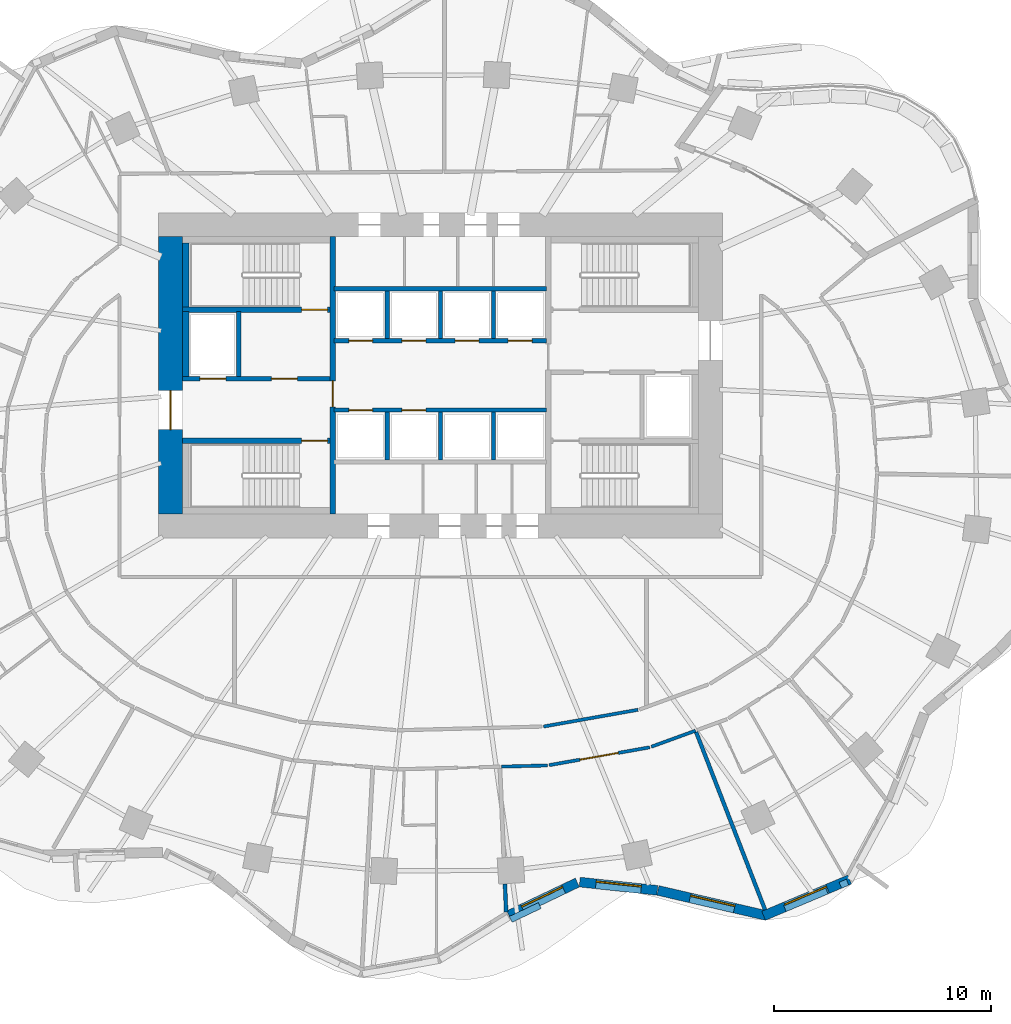
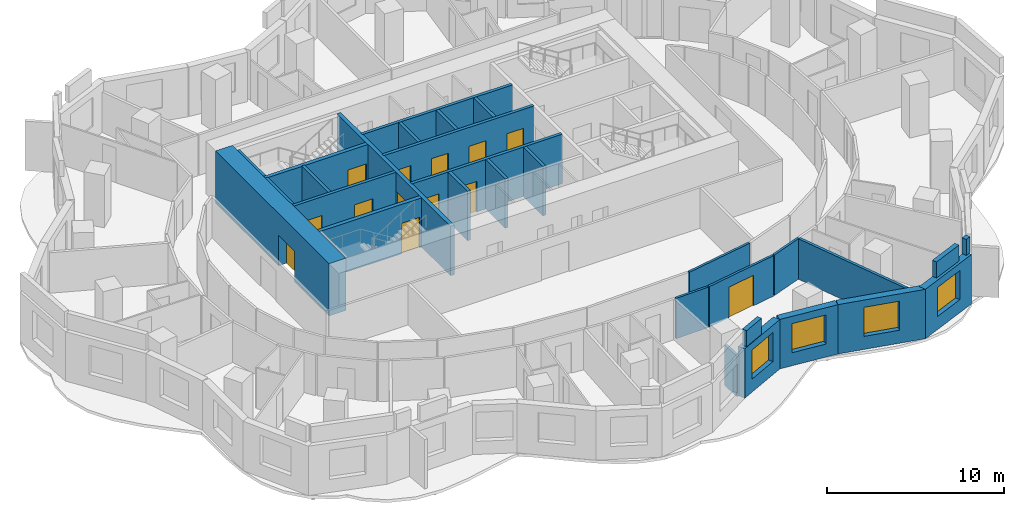
# One storey, part 7 of 14: 30 walls, 13 doors, 4 windows, 17 openings.
"""IFC4 building model written with IfcOpenShell, lengths in metres."""

from ifc_helpers import new_model, si_unit, direction, frame, frame_2d, origin, place, context, subcontext, project, spatial, rectangle, extrude, material, layer, layer_set, type_object, element, fill, save


model = new_model("IFC4")

# Units and contexts
model_context = context("Model", 3, precision=1e-05, world=origin(), true_north=direction((0.0, 1.0)))
body_context = subcontext(model_context, "Body", "Model", "MODEL_VIEW")
ifc_project = project(units=[si_unit("LENGTHUNIT", "METRE"), si_unit("AREAUNIT", "SQUARE_METRE"), si_unit("VOLUMEUNIT", "CUBIC_METRE"), si_unit("PLANEANGLEUNIT", "RADIAN"), si_unit("MASSUNIT", "GRAM", prefix="KILO")], contexts=[model_context])

# Site, building, storey
site_placement = place(None, origin())
site = spatial("IfcSite", under=ifc_project, at=site_placement, CompositionType="ELEMENT")
building_placement = place(site_placement, origin())
building = spatial("IfcBuilding", under=site, at=building_placement, Name="Rubra Terraces Tower", CompositionType="ELEMENT")
storey_placement = place(building_placement, frame((0.0, 0.0, 103.199951171875)))
storey = spatial("IfcBuildingStorey", under=building, at=storey_placement, Name="L24", CompositionType="ELEMENT", Elevation=103.199951171875)

# Walls
ifc_material_1 = material(Name="Twin plasterboard on staggered steel stud, acoustic mineral wool", Category="steel")
ifc_layer_1 = layer(ifc_material_1, 0.175048828125)
ifc_layer_set_1 = layer_set([ifc_layer_1], Name="Twin plasterboard on staggered steel stud, acoustic mineral wool")
wall_type_1 = type_object("IfcWallType", Name="ACOUSTIC PARTY WALL 175", PredefinedType="PARTITIONING", material=ifc_layer_set_1)
wall_1_placement = place(storey_placement, frame((3.03125, -20.247314453125, 0.0), z_axis=(0.0, 0.0, 1.0), x_axis=(-0.043114350308, 0.999070144083, 0.0)))
element("IfcWall", 1, at=wall_1_placement, inside=storey, type_object=wall_type_1, Name="PARTITION", PredefinedType="PARTITIONING", context=body_context, shape_type="SweptSolid", body=[
    extrude(rectangle(XDim=1.27978515625, YDim=0.175048828125, at=frame_2d((0.639892578125, 0.0))), origin(), (0.0, 0.0, 1.0), 2.783935546875),
])
wall_2_placement = place(storey_placement, frame((14.975830078125, -20.15283203125, 0.0), z_axis=(0.0, 0.0, 1.0), x_axis=(-0.361741189075, 0.932278559298, 0.0)))
element("IfcWall", 2, at=wall_2_placement, inside=storey, type_object=wall_type_1, Name="PARTITION", PredefinedType="PARTITIONING", context=body_context, shape_type="SweptSolid", body=[
    extrude(rectangle(XDim=8.79052734375, YDim=0.175048828125, at=frame_2d((4.395263671875, 0.0))), origin(), (0.0, 0.0, 1.0), 2.783935546875),
])

# Wall, opening, window
ifc_material_2 = material(Name="Brick masonry red-brown", Category="masonry")
ifc_layer_2 = layer(ifc_material_2, 0.449951171875)
ifc_layer_set_2 = layer_set([ifc_layer_2], Name="Brick masonry red-brown")
wall_type_2 = type_object("IfcWallType", Name="Brick facade wall 450", PredefinedType="SOLIDWALL", material=ifc_layer_set_2)
wall_3_placement = place(storey_placement, frame((3.153564453125, -20.406005859375, 0.0), z_axis=(0.0, 0.0, 1.0), x_axis=(0.902333313, 0.431038968367, 0.0)))
wall_3 = element("IfcWall", 3, at=wall_3_placement, inside=storey, type_object=wall_type_2, Name="Facade wall L24 bay 32", PredefinedType="SOLIDWALL", context=body_context, shape_type="SweptSolid", body=[
    extrude(rectangle(XDim=3.50537109375, YDim=0.449951171875, at=frame_2d((1.752685546875, 0.0))), origin(), (0.0, 0.0, 1.0), 3.400146484375),
])
opening_1_placement = place(wall_3_placement, frame((0.702880859375, 0.0, 0.89990234375)))
opening_1 = element("IfcOpeningElement", 4, at=opening_1_placement, cuts=wall_3, Name="Opening W1", PredefinedType="OPENING", context=body_context, shape_type="SweptSolid", body=[
    extrude(rectangle(XDim=2.10009765625, YDim=2.0, at=frame_2d((1.050048828125, 1.0))), frame((0.0, 0.23486328125, 0.0), z_axis=(0.0, -1.0, 0.0), x_axis=(1.0, 0.0, 0.0)), (0.0, 0.0, 1.0), 0.469970703125),
])
ifc_material_3 = material(Name="Clear glass in aluminium frame", Category="aluminium")
window_type = type_object("IfcWindowType", Name="Fixed deep-set window 2100 x 2000", PartitioningType="SINGLE_PANEL", PredefinedType="WINDOW", material=ifc_material_3)
window_1_placement = place(opening_1_placement, origin())
window_1 = element("IfcWindow", 5, at=window_1_placement, inside=storey, type_object=window_type, Name="Window L24 bay 32", OverallHeight=2.0, OverallWidth=2.10009765625, PartitioningType="SINGLE_PANEL", PredefinedType="WINDOW", context=body_context, shape_type="SweptSolid", body=[
    extrude(rectangle(XDim=2.10009765625, YDim=2.0, at=frame_2d((1.050048828125, 1.0))), frame((0.0, 0.135009765625, 0.0), z_axis=(0.0, -1.0, 0.0), x_axis=(1.0, 0.0, 0.0)), (0.0, 0.0, 1.0), 0.06005859375),
])
fill(opening_1, window_1)

wall_4_placement = place(storey_placement, frame((6.4267578125, -18.875244140625, 0.0), z_axis=(0.0, 0.0, 1.0), x_axis=(0.994433468803, -0.10536638992, 0.0)))
wall_4 = element("IfcWall", 6, at=wall_4_placement, inside=storey, type_object=wall_type_2, Name="Facade wall L24 bay 33", PredefinedType="SOLIDWALL", context=body_context, shape_type="SweptSolid", body=[
    extrude(rectangle(XDim=3.598388671875, YDim=0.449951171875, at=frame_2d((1.79931640625, 0.0))), origin(), (0.0, 0.0, 1.0), 3.400146484375),
])
opening_2_placement = place(wall_4_placement, frame((0.749267578125, 0.0, 0.89990234375)))
opening_2 = element("IfcOpeningElement", 7, at=opening_2_placement, cuts=wall_4, Name="Opening W1", PredefinedType="OPENING", context=body_context, shape_type="SweptSolid", body=[
    extrude(rectangle(XDim=2.10009765625, YDim=2.0, at=frame_2d((1.050048828125, 1.0))), frame((0.0, 0.23486328125, 0.0), z_axis=(0.0, -1.0, 0.0), x_axis=(1.0, 0.0, 0.0)), (0.0, 0.0, 1.0), 0.469970703125),
])
window_2_placement = place(opening_2_placement, origin())
window_2 = element("IfcWindow", 8, at=window_2_placement, inside=storey, type_object=window_type, Name="Window L24 bay 33", OverallHeight=2.0, OverallWidth=2.10009765625, PartitioningType="SINGLE_PANEL", PredefinedType="WINDOW", context=body_context, shape_type="SweptSolid", body=[
    extrude(rectangle(XDim=2.10009765625, YDim=2.0, at=frame_2d((1.050048828125, 1.0))), frame((0.0, 0.135009765625, 0.0), z_axis=(0.0, -1.0, 0.0), x_axis=(1.0, 0.0, 0.0)), (0.0, 0.0, 1.0), 0.06005859375),
])
fill(opening_2, window_2)

wall_5_placement = place(storey_placement, frame((10.0341796875, -19.258544921875, 0.0), z_axis=(0.0, 0.0, 1.0), x_axis=(0.974223567844, -0.225584662283, 0.0)))
wall_5 = element("IfcWall", 9, at=wall_5_placement, inside=storey, type_object=wall_type_2, Name="Facade wall L24 bay 34", PredefinedType="SOLIDWALL", context=body_context, shape_type="SweptSolid", body=[
    extrude(rectangle(XDim=5.138671875, YDim=0.449951171875, at=frame_2d((2.5693359375, 0.0))), origin(), (0.0, 0.0, 1.0), 3.400146484375),
])
opening_3_placement = place(wall_5_placement, frame((1.51904296875, 0.0, 0.89990234375)))
opening_3 = element("IfcOpeningElement", 10, at=opening_3_placement, cuts=wall_5, Name="Opening W1", PredefinedType="OPENING", context=body_context, shape_type="SweptSolid", body=[
    extrude(rectangle(XDim=2.10009765625, YDim=2.0, at=frame_2d((1.050048828125, 1.0))), frame((0.0, 0.23486328125, 0.0), z_axis=(0.0, -1.0, 0.0), x_axis=(1.0, 0.0, 0.0)), (0.0, 0.0, 1.0), 0.469970703125),
])
window_3_placement = place(opening_3_placement, origin())
window_3 = element("IfcWindow", 11, at=window_3_placement, inside=storey, type_object=window_type, Name="Window L24 bay 34", OverallHeight=2.0, OverallWidth=2.10009765625, PartitioningType="SINGLE_PANEL", PredefinedType="WINDOW", context=body_context, shape_type="SweptSolid", body=[
    extrude(rectangle(XDim=2.10009765625, YDim=2.0, at=frame_2d((1.050048828125, 1.0))), frame((0.0, 0.135009765625, 0.0), z_axis=(0.0, -1.0, 0.0), x_axis=(1.0, 0.0, 0.0)), (0.0, 0.0, 1.0), 0.06005859375),
])
fill(opening_3, window_3)

wall_6_placement = place(storey_placement, frame((14.906494140625, -20.4306640625, 0.0), z_axis=(0.0, 0.0, 1.0), x_axis=(0.921435803521, 0.388530642279, 0.0)))
wall_6 = element("IfcWall", 12, at=wall_6_placement, inside=storey, type_object=wall_type_2, Name="Facade wall L24 bay 35", PredefinedType="SOLIDWALL", context=body_context, shape_type="SweptSolid", body=[
    extrude(rectangle(XDim=4.308837890625, YDim=0.449951171875, at=frame_2d((2.154296875, 0.0))), origin(), (0.0, 0.0, 1.0), 3.400146484375),
])
opening_4_placement = place(wall_6_placement, frame((1.104248046875, 0.0, 0.89990234375)))
opening_4 = element("IfcOpeningElement", 13, at=opening_4_placement, cuts=wall_6, Name="Opening W1", PredefinedType="OPENING", context=body_context, shape_type="SweptSolid", body=[
    extrude(rectangle(XDim=2.10009765625, YDim=2.0, at=frame_2d((1.050048828125, 1.0))), frame((0.0, 0.23486328125, 0.0), z_axis=(0.0, -1.0, 0.0), x_axis=(1.0, 0.0, 0.0)), (0.0, 0.0, 1.0), 0.469970703125),
])
window_4_placement = place(opening_4_placement, origin())
window_4 = element("IfcWindow", 14, at=window_4_placement, inside=storey, type_object=window_type, Name="Window L24 bay 35", OverallHeight=2.0, OverallWidth=2.10009765625, PartitioningType="SINGLE_PANEL", PredefinedType="WINDOW", context=body_context, shape_type="SweptSolid", body=[
    extrude(rectangle(XDim=2.10009765625, YDim=2.0, at=frame_2d((1.050048828125, 1.0))), frame((0.0, 0.135009765625, 0.0), z_axis=(0.0, -1.0, 0.0), x_axis=(1.0, 0.0, 0.0)), (0.0, 0.0, 1.0), 0.06005859375),
])
fill(opening_4, window_4)

# Walls
ifc_layer_3 = layer(ifc_material_2, 0.300048828125)
ifc_layer_set_3 = layer_set([ifc_layer_3], Name="Brick masonry red-brown")
wall_type_3 = type_object("IfcWallType", Name="Brick parapet 300", PredefinedType="PARAPET", material=ifc_layer_set_3)
wall_7_placement = place(storey_placement, frame((3.2392578125, -20.594482421875, 3.60009765625), z_axis=(0.0, 0.0, 1.0), x_axis=(0.902344893923, 0.431014724123, 0.0)))
element("IfcWall", 15, at=wall_7_placement, inside=storey, type_object=wall_type_3, Name="Parapet L24 bay 32", PredefinedType="PARAPET", context=body_context, shape_type="SweptSolid", body=[
    extrude(rectangle(XDim=1.48974609375, YDim=0.300048828125, at=frame_2d((0.744873046875, 0.0))), origin(), (0.0, 0.0, 1.0), 1.099853515625),
])
wall_8_placement = place(storey_placement, frame((15.890869140625, -20.096923828125, 3.60009765625), z_axis=(0.0, 0.0, 1.0), x_axis=(0.921468908678, 0.388452121038, 0.0)))
element("IfcWall", 16, at=wall_8_placement, inside=storey, type_object=wall_type_3, Name="Parapet L24 bay 35", PredefinedType="PARAPET", context=body_context, shape_type="SweptSolid", body=[
    extrude(rectangle(XDim=2.09912109375, YDim=0.300048828125, at=frame_2d((1.049560546875, 0.0))), origin(), (0.0, 0.0, 1.0), 1.099853515625),
])
wall_9_placement = place(storey_placement, frame((18.4462890625, -19.01953125, 3.60009765625), z_axis=(0.0, 0.0, 1.0), x_axis=(0.921356634102, 0.388718346358, 0.0)))
element("IfcWall", 17, at=wall_9_placement, inside=storey, type_object=wall_type_3, Name="Parapet L24 bay 35.2", PredefinedType="PARAPET", context=body_context, shape_type="SweptSolid", body=[
    extrude(rectangle(XDim=0.363037109375, YDim=0.300048828125, at=frame_2d((0.181640625, 0.0))), origin(), (0.0, 0.0, 1.0), 1.099853515625),
])

# Wall, opening, door
ifc_material_4 = material(Name="Concrete C60", Category="concrete")
ifc_layer_4 = layer(ifc_material_4, 1.10009765625)
ifc_layer_set_4 = layer_set([ifc_layer_4], Name="Concrete C60")
wall_type_4 = type_object("IfcWallType", Name="CORE WALL 1100 C60", PredefinedType="SHEAR", material=ifc_layer_set_4)
wall_10_placement = place(storey_placement, frame((-12.449951171875, -1.89990234375, 0.0), z_axis=(0.0, 0.0, 1.0), x_axis=(0.0, 1.0, 0.0)))
wall_10 = element("IfcWall", 18, at=wall_10_placement, inside=storey, type_object=wall_type_4, Name="CORE WALL W L24", PredefinedType="SHEAR", context=body_context, shape_type="SweptSolid", body=[
    extrude(rectangle(XDim=12.7998046875, YDim=1.10009765625, at=frame_2d((6.39990234375, 0.0))), origin(), (0.0, 0.0, 1.0), 3.60009765625),
])
opening_5_placement = place(wall_10_placement, frame((3.89990234375, 0.0, 0.0)))
opening_5 = element("IfcOpeningElement", 19, at=opening_5_placement, cuts=wall_10, Name="Opening L24.C01", PredefinedType="OPENING", context=body_context, shape_type="SweptSolid", body=[
    extrude(rectangle(XDim=1.800048828125, YDim=2.10009765625, at=frame_2d((0.89990234375, 1.050048828125))), frame((0.0, 0.56005859375, 0.0), z_axis=(0.0, -1.0, 0.0), x_axis=(1.0, 0.0, 0.0)), (0.0, 0.0, 1.0), 1.1201171875),
])
ifc_material_5 = material(Name="Painted steel", Category="steel")
door_type_1 = type_object("IfcDoorType", Name="Fire door 1800x2100 double", OperationType="NOTDEFINED", PredefinedType="DOOR", material=ifc_material_5)
door_1_placement = place(opening_5_placement, origin())
door_1 = element("IfcDoor", 20, at=door_1_placement, inside=storey, type_object=door_type_1, Name="Core entrance door FF1", OperationType="DOUBLE_DOOR_SINGLE_SWING", OverallHeight=2.10009765625, OverallWidth=1.800048828125, PredefinedType="DOOR", context=body_context, shape_type="SweptSolid", body=[
    extrude(rectangle(XDim=1.800048828125, YDim=2.10009765625, at=frame_2d((0.89990234375, 1.050048828125))), frame((0.0, 0.02490234375, 0.0), z_axis=(0.0, -1.0, 0.0), x_axis=(1.0, 0.0, 0.0)), (0.0, 0.0, 1.0), 0.050048828125),
])
fill(opening_5, door_1)

# Wall
ifc_material_6 = material(Name="Plasterboard on steel stud, mineral wool infill", Category="steel")
ifc_layer_5 = layer(ifc_material_6, 0.14990234375)
ifc_layer_set_5 = layer_set([ifc_layer_5], Name="Plasterboard on steel stud, mineral wool infill")
wall_type_5 = type_object("IfcWallType", Name="CORRIDOR PARTITION 150", PredefinedType="PARTITIONING", material=ifc_layer_set_5)
wall_11_placement = place(storey_placement, frame((2.817138671875, -13.54833984375, 0.0), z_axis=(0.0, 0.0, 1.0), x_axis=(0.999665667544, 0.025856394436, 0.0)))
element("IfcWall", 21, at=wall_11_placement, inside=storey, type_object=wall_type_5, Name="PARTITION", PredefinedType="PARTITIONING", context=body_context, shape_type="SweptSolid", body=[
    extrude(rectangle(XDim=2.12451171875, YDim=0.14990234375, at=frame_2d((1.062255859375, 0.0))), origin(), (0.0, 0.0, 1.0), 2.783935546875),
])

# Wall, opening, door
wall_12_placement = place(storey_placement, frame((5.0146484375, -13.480224609375, 0.0), z_axis=(0.0, 0.0, 1.0), x_axis=(0.984637772103, 0.174609443467, 0.0)))
wall_12 = element("IfcWall", 22, at=wall_12_placement, inside=storey, type_object=wall_type_5, Name="PARTITION", PredefinedType="PARTITIONING", context=body_context, shape_type="SweptSolid", body=[
    extrude(rectangle(XDim=4.71484375, YDim=0.14990234375, at=frame_2d((2.357421875, 0.0))), origin(), (0.0, 0.0, 1.0), 2.783935546875),
])
opening_6_placement = place(wall_12_placement, frame((1.444091796875, 0.0, 0.0)))
opening_6 = element("IfcOpeningElement", 23, at=opening_6_placement, cuts=wall_12, Name="Opening 24-116", PredefinedType="OPENING", context=body_context, shape_type="SweptSolid", body=[
    extrude(rectangle(XDim=1.800048828125, YDim=2.10009765625, at=frame_2d((0.89990234375, 1.050048828125))), frame((0.0, 0.0849609375, 0.0), z_axis=(0.0, -1.0, 0.0), x_axis=(1.0, 0.0, 0.0)), (0.0, 0.0, 1.0), 0.169921875),
])
ifc_material_7 = material(Name="Painted timber door leaf, double", Category="wood")
door_type_2 = type_object("IfcDoorType", Name="ROOM DOUBLE DOOR 1800 X 2100", OperationType="DOUBLE_DOOR_SINGLE_SWING", PredefinedType="DOOR", material=ifc_material_7)
door_2_placement = place(opening_6_placement, origin())
door_2 = element("IfcDoor", 24, at=door_2_placement, inside=storey, type_object=door_type_2, Name="DOOR 24-116", OperationType="DOUBLE_DOOR_SINGLE_SWING", OverallHeight=2.10009765625, OverallWidth=1.800048828125, PredefinedType="DOOR", context=body_context, shape_type="SweptSolid", body=[
    extrude(rectangle(XDim=1.800048828125, YDim=2.10009765625, at=frame_2d((0.89990234375, 1.050048828125))), frame((0.0, 0.02490234375, 0.0), z_axis=(0.0, -1.0, 0.0), x_axis=(1.0, 0.0, 0.0)), (0.0, 0.0, 1.0), 0.050048828125),
])
fill(opening_6, door_2)

# Walls
wall_13_placement = place(storey_placement, frame((9.7275390625, -12.631103515625, 0.0), z_axis=(0.0, 0.0, 1.0), x_axis=(0.939625968265, 0.342203214133, 0.0)))
element("IfcWall", 25, at=wall_13_placement, inside=storey, type_object=wall_type_5, Name="PARTITION", PredefinedType="PARTITIONING", context=body_context, shape_type="SweptSolid", body=[
    extrude(rectangle(XDim=2.17236328125, YDim=0.14990234375, at=frame_2d((1.086181640625, 0.0))), origin(), (0.0, 0.0, 1.0), 2.783935546875),
])
wall_14_placement = place(storey_placement, frame((9.114501953125, -10.925048828125, 0.0), z_axis=(0.0, 0.0, 1.0), x_axis=(-0.984632605417, -0.174638576352, 0.0)))
element("IfcWall", 26, at=wall_14_placement, inside=storey, type_object=wall_type_5, Name="PARTITION", PredefinedType="PARTITIONING", context=body_context, shape_type="SweptSolid", body=[
    extrude(rectangle(XDim=4.423095703125, YDim=0.14990234375, at=frame_2d((2.21142578125, 0.0))), origin(), (0.0, 0.0, 1.0), 2.783935546875),
])
ifc_material_8 = material(Name="Concrete C40", Category="concrete")
ifc_layer_6 = layer(ifc_material_8, 0.300048828125)
ifc_layer_set_6 = layer_set([ifc_layer_6], Name="Concrete C40")
wall_type_6 = type_object("IfcWallType", Name="Core lining wall 300 concrete", PredefinedType="SOLIDWALL", material=ifc_layer_set_6)
wall_15_placement = place(storey_placement, frame((-11.75, 4.449951171875, 0.0), z_axis=(0.0, 0.0, 1.0), x_axis=(0.0, 1.0, 0.0)))
element("IfcWall", 27, at=wall_15_placement, inside=storey, type_object=wall_type_6, Name="CORE LINING WALL L24", PredefinedType="SOLIDWALL", context=body_context, shape_type="SweptSolid", body=[
    extrude(rectangle(XDim=3.0, YDim=0.300048828125, at=frame_2d((1.5, 0.0))), origin(), (0.0, 0.0, 1.0), 3.400146484375),
])
wall_16_placement = place(storey_placement, frame((-11.75, 7.64990234375, 0.0), z_axis=(0.0, 0.0, 1.0), x_axis=(0.0, 1.0, 0.0)))
element("IfcWall", 28, at=wall_16_placement, inside=storey, type_object=wall_type_6, Name="CORE LINING WALL L24", PredefinedType="SOLIDWALL", context=body_context, shape_type="SweptSolid", body=[
    extrude(rectangle(XDim=2.9501953125, YDim=0.300048828125, at=frame_2d((1.47509765625, 0.0))), origin(), (0.0, 0.0, 1.0), 3.400146484375),
])

# Wall, openings, doors
ifc_material_9 = material(Name="Concrete C30", Category="concrete")
ifc_layer_7 = layer(ifc_material_9, 0.199951171875)
ifc_layer_set_7 = layer_set([ifc_layer_7], Name="Concrete C30")
wall_type_7 = type_object("IfcWallType", Name="Core wall 200 concrete", PredefinedType="SOLIDWALL", material=ifc_layer_set_7)
wall_17_placement = place(storey_placement, frame((-11.89990234375, 4.35009765625, 0.0), z_axis=(0.0, 0.0, 1.0), x_axis=(1.0, 0.0, 0.0)))
wall_17 = element("IfcWall", 29, at=wall_17_placement, inside=storey, type_object=wall_type_7, Name="STAIR WALL L24", PredefinedType="SOLIDWALL", context=body_context, shape_type="SweptSolid", body=[
    extrude(rectangle(XDim=6.7998046875, YDim=0.199951171875, at=frame_2d((3.39990234375, 0.0))), origin(), (0.0, 0.0, 1.0), 3.400146484375),
])
opening_7_placement = place(wall_17_placement, frame((4.10009765625, 0.0, 0.0)))
opening_7 = element("IfcOpeningElement", 30, at=opening_7_placement, cuts=wall_17, Name="Opening L24.C05", PredefinedType="OPENING", context=body_context, shape_type="SweptSolid", body=[
    extrude(rectangle(XDim=1.199951171875, YDim=2.10009765625, at=frame_2d((0.60009765625, 1.050048828125))), frame((0.0, 0.10986328125, 0.0), z_axis=(0.0, -1.0, 0.0), x_axis=(1.0, 0.0, 0.0)), (0.0, 0.0, 1.0), 0.219970703125),
])
opening_8_placement = place(wall_17_placement, frame((0.800048828125, 0.0, 0.0)))
opening_8 = element("IfcOpeningElement", 31, at=opening_8_placement, cuts=wall_17, Name="Opening L24.C11", PredefinedType="OPENING", context=body_context, shape_type="SweptSolid", body=[
    extrude(rectangle(XDim=1.199951171875, YDim=2.10009765625, at=frame_2d((0.60009765625, 1.050048828125))), frame((0.0, 0.10986328125, 0.0), z_axis=(0.0, -1.0, 0.0), x_axis=(1.0, 0.0, 0.0)), (0.0, 0.0, 1.0), 0.219970703125),
])
door_type_3 = type_object("IfcDoorType", Name="Fire door 1200x2100 single", OperationType="NOTDEFINED", PredefinedType="DOOR", material=ifc_material_5)
door_3_placement = place(opening_7_placement, origin())
door_3 = element("IfcDoor", 32, at=door_3_placement, inside=storey, type_object=door_type_3, Name="Stair vestibule door S2", OperationType="SINGLE_SWING_LEFT", OverallHeight=2.10009765625, OverallWidth=1.199951171875, PredefinedType="DOOR", context=body_context, shape_type="SweptSolid", body=[
    extrude(rectangle(XDim=1.199951171875, YDim=2.10009765625, at=frame_2d((0.60009765625, 1.050048828125))), frame((0.0, 0.02490234375, 0.0), z_axis=(0.0, -1.0, 0.0), x_axis=(1.0, 0.0, 0.0)), (0.0, 0.0, 1.0), 0.050048828125),
])
fill(opening_7, door_3)
ifc_material_10 = material(Name="Stainless steel", Category="steel")
door_type_4 = type_object("IfcDoorType", Name="Lift landing door 1200x2100", OperationType="NOTDEFINED", PredefinedType="DOOR", material=ifc_material_10)
door_4_placement = place(opening_8_placement, origin())
door_4 = element("IfcDoor", 33, at=door_4_placement, inside=storey, type_object=door_type_4, Name="Landing door FF1", OperationType="SLIDING_TO_RIGHT", OverallHeight=2.10009765625, OverallWidth=1.199951171875, PredefinedType="DOOR", context=body_context, shape_type="SweptSolid", body=[
    extrude(rectangle(XDim=1.199951171875, YDim=2.10009765625, at=frame_2d((0.60009765625, 1.050048828125))), frame((0.0, 0.02490234375, 0.0), z_axis=(0.0, -1.0, 0.0), x_axis=(1.0, 0.0, 0.0)), (0.0, 0.0, 1.0), 0.050048828125),
])
fill(opening_8, door_4)

# Wall
wall_18_placement = place(storey_placement, frame((-9.300048828125, 4.449951171875, 0.0), z_axis=(0.0, 0.0, 1.0), x_axis=(0.0, 1.0, 0.0)))
element("IfcWall", 34, at=wall_18_placement, inside=storey, type_object=wall_type_7, Name="STAIR WALL L24", PredefinedType="SOLIDWALL", context=body_context, shape_type="SweptSolid", body=[
    extrude(rectangle(XDim=3.0, YDim=0.199951171875, at=frame_2d((1.5, 0.0))), origin(), (0.0, 0.0, 1.0), 3.400146484375),
])

# Wall, openings, doors
wall_19_placement = place(storey_placement, frame((-4.89990234375, 2.89990234375, 0.0), z_axis=(0.0, 0.0, 1.0), x_axis=(1.0, 0.0, 0.0)))
wall_19 = element("IfcWall", 35, at=wall_19_placement, inside=storey, type_object=wall_type_7, Name="LIFT SHAFT WALL L24", PredefinedType="SOLIDWALL", context=body_context, shape_type="SweptSolid", body=[
    extrude(rectangle(XDim=9.7998046875, YDim=0.199951171875, at=frame_2d((4.89990234375, 0.0))), origin(), (0.0, 0.0, 1.0), 3.400146484375),
])
opening_9_placement = place(wall_19_placement, frame((0.675048828125, 0.0, 0.0)))
opening_9 = element("IfcOpeningElement", 36, at=opening_9_placement, cuts=wall_19, Name="Opening L24.C13", PredefinedType="OPENING", context=body_context, shape_type="SweptSolid", body=[
    extrude(rectangle(XDim=1.10009765625, YDim=2.10009765625, at=frame_2d((0.550048828125, 1.050048828125))), frame((0.0, 0.10986328125, 0.0), z_axis=(0.0, -1.0, 0.0), x_axis=(1.0, 0.0, 0.0)), (0.0, 0.0, 1.0), 0.219970703125),
])
opening_10_placement = place(wall_19_placement, frame((3.125, 0.0, 0.0)))
opening_10 = element("IfcOpeningElement", 37, at=opening_10_placement, cuts=wall_19, Name="Opening L24.C14", PredefinedType="OPENING", context=body_context, shape_type="SweptSolid", body=[
    extrude(rectangle(XDim=1.10009765625, YDim=2.10009765625, at=frame_2d((0.550048828125, 1.050048828125))), frame((0.0, 0.10986328125, 0.0), z_axis=(0.0, -1.0, 0.0), x_axis=(1.0, 0.0, 0.0)), (0.0, 0.0, 1.0), 0.219970703125),
])
door_type_5 = type_object("IfcDoorType", Name="Lift landing door 1100x2100", OperationType="NOTDEFINED", PredefinedType="DOOR", material=ifc_material_10)
door_5_placement = place(opening_9_placement, origin())
door_5 = element("IfcDoor", 38, at=door_5_placement, inside=storey, type_object=door_type_5, Name="Landing door LB1", OperationType="SLIDING_TO_RIGHT", OverallHeight=2.10009765625, OverallWidth=1.10009765625, PredefinedType="DOOR", context=body_context, shape_type="SweptSolid", body=[
    extrude(rectangle(XDim=1.10009765625, YDim=2.10009765625, at=frame_2d((0.550048828125, 1.050048828125))), frame((0.0, 0.02490234375, 0.0), z_axis=(0.0, -1.0, 0.0), x_axis=(1.0, 0.0, 0.0)), (0.0, 0.0, 1.0), 0.050048828125),
])
fill(opening_9, door_5)
door_6_placement = place(opening_10_placement, origin())
door_6 = element("IfcDoor", 39, at=door_6_placement, inside=storey, type_object=door_type_5, Name="Landing door LB2", OperationType="SLIDING_TO_LEFT", OverallHeight=2.10009765625, OverallWidth=1.10009765625, PredefinedType="DOOR", context=body_context, shape_type="SweptSolid", body=[
    extrude(rectangle(XDim=1.10009765625, YDim=2.10009765625, at=frame_2d((0.550048828125, 1.050048828125))), frame((0.0, 0.02490234375, 0.0), z_axis=(0.0, -1.0, 0.0), x_axis=(1.0, 0.0, 0.0)), (0.0, 0.0, 1.0), 0.050048828125),
])
fill(opening_10, door_6)

wall_20_placement = place(storey_placement, frame((-4.89990234375, 6.10009765625, 0.0), z_axis=(0.0, 0.0, 1.0), x_axis=(1.0, 0.0, 0.0)))
wall_20 = element("IfcWall", 40, at=wall_20_placement, inside=storey, type_object=wall_type_7, Name="LIFT SHAFT WALL L24", PredefinedType="SOLIDWALL", context=body_context, shape_type="SweptSolid", body=[
    extrude(rectangle(XDim=9.7998046875, YDim=0.199951171875, at=frame_2d((4.89990234375, 0.0))), origin(), (0.0, 0.0, 1.0), 3.400146484375),
])
opening_11_placement = place(wall_20_placement, frame((0.675048828125, 0.0, 0.0)))
opening_11 = element("IfcOpeningElement", 41, at=opening_11_placement, cuts=wall_20, Name="Opening L24.C15", PredefinedType="OPENING", context=body_context, shape_type="SweptSolid", body=[
    extrude(rectangle(XDim=1.10009765625, YDim=2.10009765625, at=frame_2d((0.550048828125, 1.050048828125))), frame((0.0, 0.10986328125, 0.0), z_axis=(0.0, -1.0, 0.0), x_axis=(1.0, 0.0, 0.0)), (0.0, 0.0, 1.0), 0.219970703125),
])
opening_12_placement = place(wall_20_placement, frame((3.125, 0.0, 0.0)))
opening_12 = element("IfcOpeningElement", 42, at=opening_12_placement, cuts=wall_20, Name="Opening L24.C16", PredefinedType="OPENING", context=body_context, shape_type="SweptSolid", body=[
    extrude(rectangle(XDim=1.10009765625, YDim=2.10009765625, at=frame_2d((0.550048828125, 1.050048828125))), frame((0.0, 0.10986328125, 0.0), z_axis=(0.0, -1.0, 0.0), x_axis=(1.0, 0.0, 0.0)), (0.0, 0.0, 1.0), 0.219970703125),
])
opening_13_placement = place(wall_20_placement, frame((5.574951171875, 0.0, 0.0)))
opening_13 = element("IfcOpeningElement", 43, at=opening_13_placement, cuts=wall_20, Name="Opening L24.C17", PredefinedType="OPENING", context=body_context, shape_type="SweptSolid", body=[
    extrude(rectangle(XDim=1.10009765625, YDim=2.10009765625, at=frame_2d((0.550048828125, 1.050048828125))), frame((0.0, 0.10986328125, 0.0), z_axis=(0.0, -1.0, 0.0), x_axis=(1.0, 0.0, 0.0)), (0.0, 0.0, 1.0), 0.219970703125),
])
opening_14_placement = place(wall_20_placement, frame((8.02490234375, 0.0, 0.0)))
opening_14 = element("IfcOpeningElement", 44, at=opening_14_placement, cuts=wall_20, Name="Opening L24.C18", PredefinedType="OPENING", context=body_context, shape_type="SweptSolid", body=[
    extrude(rectangle(XDim=1.10009765625, YDim=2.10009765625, at=frame_2d((0.550048828125, 1.050048828125))), frame((0.0, 0.10986328125, 0.0), z_axis=(0.0, -1.0, 0.0), x_axis=(1.0, 0.0, 0.0)), (0.0, 0.0, 1.0), 0.219970703125),
])
door_7_placement = place(opening_11_placement, origin())
door_7 = element("IfcDoor", 45, at=door_7_placement, inside=storey, type_object=door_type_5, Name="Landing door LB3", OperationType="SLIDING_TO_RIGHT", OverallHeight=2.10009765625, OverallWidth=1.10009765625, PredefinedType="DOOR", context=body_context, shape_type="SweptSolid", body=[
    extrude(rectangle(XDim=1.10009765625, YDim=2.10009765625, at=frame_2d((0.550048828125, 1.050048828125))), frame((0.0, 0.02490234375, 0.0), z_axis=(0.0, -1.0, 0.0), x_axis=(1.0, 0.0, 0.0)), (0.0, 0.0, 1.0), 0.050048828125),
])
fill(opening_11, door_7)
door_8_placement = place(opening_12_placement, origin())
door_8 = element("IfcDoor", 46, at=door_8_placement, inside=storey, type_object=door_type_5, Name="Landing door LB4", OperationType="SLIDING_TO_LEFT", OverallHeight=2.10009765625, OverallWidth=1.10009765625, PredefinedType="DOOR", context=body_context, shape_type="SweptSolid", body=[
    extrude(rectangle(XDim=1.10009765625, YDim=2.10009765625, at=frame_2d((0.550048828125, 1.050048828125))), frame((0.0, 0.02490234375, 0.0), z_axis=(0.0, -1.0, 0.0), x_axis=(1.0, 0.0, 0.0)), (0.0, 0.0, 1.0), 0.050048828125),
])
fill(opening_12, door_8)
door_9_placement = place(opening_13_placement, origin())
door_9 = element("IfcDoor", 47, at=door_9_placement, inside=storey, type_object=door_type_5, Name="Landing door LB5", OperationType="SLIDING_TO_RIGHT", OverallHeight=2.10009765625, OverallWidth=1.10009765625, PredefinedType="DOOR", context=body_context, shape_type="SweptSolid", body=[
    extrude(rectangle(XDim=1.10009765625, YDim=2.10009765625, at=frame_2d((0.550048828125, 1.050048828125))), frame((0.0, 0.02490234375, 0.0), z_axis=(0.0, -1.0, 0.0), x_axis=(1.0, 0.0, 0.0)), (0.0, 0.0, 1.0), 0.050048828125),
])
fill(opening_13, door_9)
door_10_placement = place(opening_14_placement, origin())
door_10 = element("IfcDoor", 48, at=door_10_placement, inside=storey, type_object=door_type_5, Name="Landing door LB6", OperationType="SLIDING_TO_LEFT", OverallHeight=2.10009765625, OverallWidth=1.10009765625, PredefinedType="DOOR", context=body_context, shape_type="SweptSolid", body=[
    extrude(rectangle(XDim=1.10009765625, YDim=2.10009765625, at=frame_2d((0.550048828125, 1.050048828125))), frame((0.0, 0.02490234375, 0.0), z_axis=(0.0, -1.0, 0.0), x_axis=(1.0, 0.0, 0.0)), (0.0, 0.0, 1.0), 0.050048828125),
])
fill(opening_14, door_10)

# Walls
wall_21_placement = place(storey_placement, frame((-4.89990234375, 8.5, 0.0), z_axis=(0.0, 0.0, 1.0), x_axis=(1.0, 0.0, 0.0)))
element("IfcWall", 49, at=wall_21_placement, inside=storey, type_object=wall_type_7, Name="LIFT SHAFT WALL L24", PredefinedType="SOLIDWALL", context=body_context, shape_type="SweptSolid", body=[
    extrude(rectangle(XDim=9.7998046875, YDim=0.199951171875, at=frame_2d((4.89990234375, 0.0))), origin(), (0.0, 0.0, 1.0), 3.400146484375),
])
for number, where, z_axis, x_axis, name in (
    (50, (-2.449951171875, 0.60009765625, 0.0), (0.0, 0.0, 1.0), (0.0, 1.0, 0.0), "LIFT SHAFT WALL L24"),
    (51, (0.0, 0.60009765625, 0.0), (0.0, 0.0, 1.0), (0.0, 1.0, 0.0), "LIFT SHAFT WALL L24"),
    (52, (2.449951171875, 0.60009765625, 0.0), (0.0, 0.0, 1.0), (0.0, 1.0, 0.0), "LIFT SHAFT WALL L24"),
    (53, (-2.449951171875, 6.199951171875, 0.0), (0.0, 0.0, 1.0), (0.0, 1.0, 0.0), "LIFT SHAFT WALL L24"),
    (54, (0.0, 6.199951171875, 0.0), (0.0, 0.0, 1.0), (0.0, 1.0, 0.0), "LIFT SHAFT WALL L24"),
    (55, (2.449951171875, 6.199951171875, 0.0), (0.0, 0.0, 1.0), (0.0, 1.0, 0.0), "LIFT SHAFT WALL L24"),
):
    element("IfcWall", number, at=place(storey_placement, frame(where, z_axis=z_axis, x_axis=x_axis)), inside=storey, type_object=wall_type_7, Name=name, PredefinedType="SOLIDWALL", context=body_context, shape_type="SweptSolid", body=[
        extrude(rectangle(XDim=2.199951171875, YDim=0.199951171875, at=frame_2d((1.10009765625, 0.0))), origin(), (0.0, 0.0, 1.0), 3.400146484375),
    ])

# Wall, opening, door
ifc_layer_8 = layer(ifc_material_8, 0.25)
ifc_layer_set_8 = layer_set([ifc_layer_8], Name="Concrete C40")
wall_type_8 = type_object("IfcWallType", Name="Stair enclosure wall 250 concrete", PredefinedType="SOLIDWALL", material=ifc_layer_set_8)
wall_22_placement = place(storey_placement, frame((-11.89990234375, 1.47509765625, 0.0), z_axis=(0.0, 0.0, 1.0), x_axis=(1.0, 0.0, 0.0)))
wall_22 = element("IfcWall", 56, at=wall_22_placement, inside=storey, type_object=wall_type_8, Name="STAIR WALL L24", PredefinedType="SOLIDWALL", context=body_context, shape_type="SweptSolid", body=[
    extrude(rectangle(XDim=6.7998046875, YDim=0.25, at=frame_2d((3.39990234375, 0.0))), origin(), (0.0, 0.0, 1.0), 3.400146484375),
])
opening_15_placement = place(wall_22_placement, frame((5.5, 0.0, 0.0)))
opening_15 = element("IfcOpeningElement", 57, at=opening_15_placement, cuts=wall_22, Name="Opening L24.C07", PredefinedType="OPENING", context=body_context, shape_type="SweptSolid", body=[
    extrude(rectangle(XDim=1.199951171875, YDim=2.10009765625, at=frame_2d((0.60009765625, 1.050048828125))), frame((0.0, 0.135009765625, 0.0), z_axis=(0.0, -1.0, 0.0), x_axis=(1.0, 0.0, 0.0)), (0.0, 0.0, 1.0), 0.27001953125),
])
door_11_placement = place(opening_15_placement, origin())
door_11 = element("IfcDoor", 58, at=door_11_placement, inside=storey, type_object=door_type_3, Name="Stair door S1", OperationType="SINGLE_SWING_LEFT", OverallHeight=2.10009765625, OverallWidth=1.199951171875, PredefinedType="DOOR", context=body_context, shape_type="SweptSolid", body=[
    extrude(rectangle(XDim=1.199951171875, YDim=2.10009765625, at=frame_2d((0.60009765625, 1.050048828125))), frame((0.0, 0.02490234375, 0.0), z_axis=(0.0, -1.0, 0.0), x_axis=(1.0, 0.0, 0.0)), (0.0, 0.0, 1.0), 0.050048828125),
])
fill(opening_15, door_11)

wall_23_placement = place(storey_placement, frame((-11.89990234375, 7.52490234375, 0.0), z_axis=(0.0, 0.0, 1.0), x_axis=(1.0, 0.0, 0.0)))
wall_23 = element("IfcWall", 59, at=wall_23_placement, inside=storey, type_object=wall_type_8, Name="STAIR WALL L24", PredefinedType="SOLIDWALL", context=body_context, shape_type="SweptSolid", body=[
    extrude(rectangle(XDim=6.7998046875, YDim=0.25, at=frame_2d((3.39990234375, 0.0))), origin(), (0.0, 0.0, 1.0), 3.400146484375),
])
opening_16_placement = place(wall_23_placement, frame((5.5, 0.0, 0.0)))
opening_16 = element("IfcOpeningElement", 60, at=opening_16_placement, cuts=wall_23, Name="Opening L24.C09", PredefinedType="OPENING", context=body_context, shape_type="SweptSolid", body=[
    extrude(rectangle(XDim=1.199951171875, YDim=2.10009765625, at=frame_2d((0.60009765625, 1.050048828125))), frame((0.0, 0.135009765625, 0.0), z_axis=(0.0, -1.0, 0.0), x_axis=(1.0, 0.0, 0.0)), (0.0, 0.0, 1.0), 0.27001953125),
])
door_12_placement = place(opening_16_placement, origin())
door_12 = element("IfcDoor", 61, at=door_12_placement, inside=storey, type_object=door_type_3, Name="Stair door S2", OperationType="SINGLE_SWING_LEFT", OverallHeight=2.10009765625, OverallWidth=1.199951171875, PredefinedType="DOOR", context=body_context, shape_type="SweptSolid", body=[
    extrude(rectangle(XDim=1.199951171875, YDim=2.10009765625, at=frame_2d((0.60009765625, 1.050048828125))), frame((0.0, 0.02490234375, 0.0), z_axis=(0.0, -1.0, 0.0), x_axis=(1.0, 0.0, 0.0)), (0.0, 0.0, 1.0), 0.050048828125),
])
fill(opening_16, door_12)

wall_24_placement = place(storey_placement, frame((-4.97509765625, -1.89990234375, 0.0), z_axis=(0.0, 0.0, 1.0), x_axis=(0.0, 1.0, 0.0)))
wall_24 = element("IfcWall", 62, at=wall_24_placement, inside=storey, type_object=wall_type_8, Name="CORE LOBBY WALL L24", PredefinedType="SOLIDWALL", context=body_context, shape_type="SweptSolid", body=[
    extrude(rectangle(XDim=12.7998046875, YDim=0.25, at=frame_2d((6.39990234375, 0.0))), origin(), (0.0, 0.0, 1.0), 3.400146484375),
])
opening_17_placement = place(wall_24_placement, frame((4.949951171875, 0.0, 0.0)))
opening_17 = element("IfcOpeningElement", 63, at=opening_17_placement, cuts=wall_24, Name="Opening L24.C03", PredefinedType="OPENING", context=body_context, shape_type="SweptSolid", body=[
    extrude(rectangle(XDim=1.199951171875, YDim=2.10009765625, at=frame_2d((0.60009765625, 1.050048828125))), frame((0.0, 0.135009765625, 0.0), z_axis=(0.0, -1.0, 0.0), x_axis=(1.0, 0.0, 0.0)), (0.0, 0.0, 1.0), 0.27001953125),
])
door_13_placement = place(opening_17_placement, origin())
door_13 = element("IfcDoor", 64, at=door_13_placement, inside=storey, type_object=door_type_3, Name="Firefighting lobby door FF1", OperationType="SINGLE_SWING_LEFT", OverallHeight=2.10009765625, OverallWidth=1.199951171875, PredefinedType="DOOR", context=body_context, shape_type="SweptSolid", body=[
    extrude(rectangle(XDim=1.199951171875, YDim=2.10009765625, at=frame_2d((0.60009765625, 1.050048828125))), frame((0.0, 0.02490234375, 0.0), z_axis=(0.0, -1.0, 0.0), x_axis=(1.0, 0.0, 0.0)), (0.0, 0.0, 1.0), 0.050048828125),
])
fill(opening_17, door_13)

save(model, "model.ifc")
